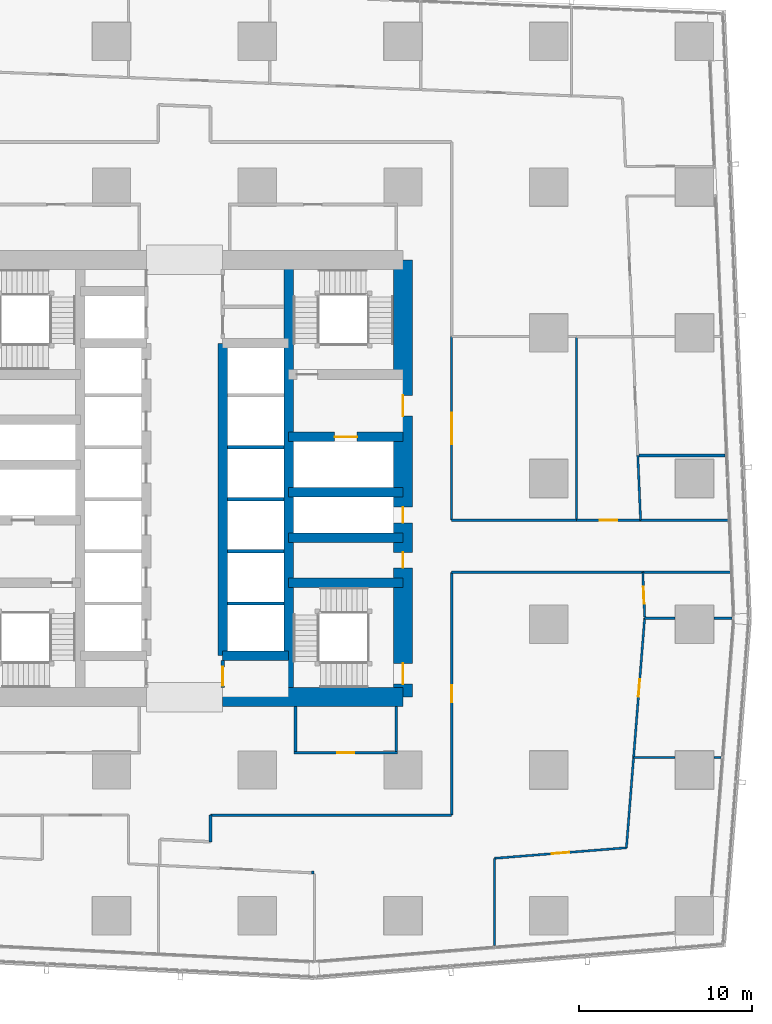
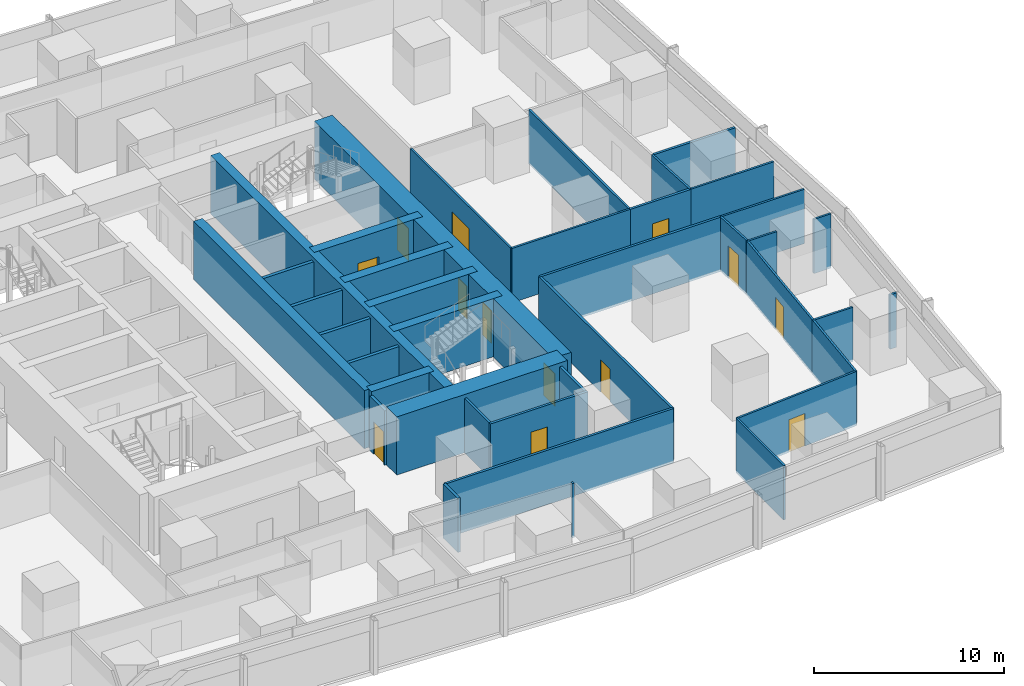
# One storey, part 33 of 44: 39 walls, 13 doors, 13 openings.
"""IFC4 building model written with IfcOpenShell, lengths in metres."""

import ifcopenshell
import ifcopenshell.guid

model = None  # the IFC model being written
_history = None  # IfcOwnerHistory: only IFC2X3 demands one
_inside = {}  # id of a spatial element -> (the spatial element, [elements in it])
_under = {}  # id of a project, library or spatial element -> (it, [spatial elements below it])
_declared = {}  # id of a project -> (the project, [libraries it declares])
_typed = {}  # id of a type object -> (the type object, [elements of that type])
_made_of = {}  # id of a material, layer set ... -> (it, [elements and type objects made of it])


def new_model(schema):
    """Start an empty IFC model of exactly this schema.

    Asked for "IFC4X3", IfcOpenShell would pick the latest addendum, in which some entities
    have other attributes; the version numbers below select the first issue.
    IFC2X3 requires an IfcOwnerHistory on every rooted entity: one is made here for all.
    """
    global model, _history
    if schema == "IFC4X3":
        model = ifcopenshell.file(schema_version=(4, 3, 0, 0))
    else:
        model = ifcopenshell.file(schema=schema)
    _inside.clear()
    _under.clear()
    _declared.clear()
    _typed.clear()
    _made_of.clear()
    _history = None
    if model.schema == "IFC2X3":
        org = make("IfcOrganization", Name="unknown")
        user = make(
            "IfcPersonAndOrganization",
            ThePerson=make("IfcPerson", FamilyName="unknown"),
            TheOrganization=org,
        )
        app = make(
            "IfcApplication",
            ApplicationDeveloper=org,
            Version="unknown",
            ApplicationFullName="unknown",
            ApplicationIdentifier="unknown",
        )
        _history = make(
            "IfcOwnerHistory",
            OwningUser=user,
            OwningApplication=app,
            ChangeAction="ADDED",
            CreationDate=0,
        )
    return model


def make(cls, **values):
    """One entity of the class cls with the attributes given. An attribute that is None is left unset."""
    return model.create_entity(
        cls, **{name: value for name, value in values.items() if value is not None}
    )


def rooted(cls, **values):
    """An entity with a GlobalId (a new one), such as an element, a storey or a relation."""
    return make(cls, GlobalId=ifcopenshell.guid.new(), OwnerHistory=_history, **values)


def si_unit(unit_type, name, prefix=None):
    """IfcSIUnit, for example si_unit("LENGTHUNIT", "METRE", prefix="MILLI")."""
    return make("IfcSIUnit", UnitType=unit_type, Prefix=prefix, Name=name)


def assignment(units):
    """IfcUnitAssignment: the units of a project."""
    return None if units is None else make("IfcUnitAssignment", Units=units)


def point(xyz):
    """IfcCartesianPoint."""
    return None if xyz is None else make("IfcCartesianPoint", Coordinates=xyz)


def direction(xyz):
    """IfcDirection."""
    return None if xyz is None else make("IfcDirection", DirectionRatios=xyz)


def frame(location, z_axis=None, x_axis=None):
    """IfcAxis2Placement3D, a coordinate frame: its origin and axes. An axis left out is left unset."""
    return make(
        "IfcAxis2Placement3D",
        Location=point(location),
        Axis=direction(z_axis),
        RefDirection=direction(x_axis),
    )


def frame_2d(location, x_axis=None):
    """IfcAxis2Placement2D, a coordinate frame in the plane: its origin and x axis."""
    return make(
        "IfcAxis2Placement2D", Location=point(location), RefDirection=direction(x_axis)
    )


def origin():
    """The frame at (0, 0, 0) with its axes left unset."""
    return frame((0.0, 0.0, 0.0))


def place(relative_to, where):
    """IfcLocalPlacement: puts the frame where relative to a parent placement (None: the world)."""
    return make(
        "IfcLocalPlacement", PlacementRelTo=relative_to, RelativePlacement=where
    )


def context(
    kind, dimensions, precision=None, world=None, true_north=None, identifier=None
):
    """IfcGeometricRepresentationContext, for example the 3D "Model" context."""
    return make(
        "IfcGeometricRepresentationContext",
        ContextIdentifier=identifier,
        ContextType=kind,
        CoordinateSpaceDimension=dimensions,
        Precision=precision,
        WorldCoordinateSystem=world,
        TrueNorth=true_north,
    )


def subcontext(parent, identifier, kind, view, scale=None):
    """IfcGeometricRepresentationSubContext, for example "Body" below "Model"."""
    return make(
        "IfcGeometricRepresentationSubContext",
        ContextIdentifier=identifier,
        ContextType=kind,
        ParentContext=parent,
        TargetScale=scale,
        TargetView=view,
    )


def project(units=None, contexts=None):
    """IfcProject with its units and contexts."""
    return rooted(
        "IfcProject",
        Name="project",
        RepresentationContexts=contexts,
        UnitsInContext=assignment(units),
    )


def spatial(cls, under=None, at=None, **own):
    """A site, building, storey or space (cls), placed at a placement, below another one or the project."""
    s = rooted(cls, ObjectPlacement=at, **own)
    if under is not None:
        _under.setdefault(under.id(), (under, []))[1].append(s)
    return s


def profile(cls, at=None, kind="AREA", **sizes):
    """A parametric profile (cls). Its sizes go by their IFC names, for example OverallWidth=200.0."""
    return make(cls, ProfileType=kind, Position=at, **sizes)


def rectangle(**sizes):
    """IfcRectangleProfileDef."""
    return profile("IfcRectangleProfileDef", **sizes)


def extrude(swept, where, along, depth):
    """IfcExtrudedAreaSolid: the profile swept, set in the frame where, extruded along a direction by depth."""
    return make(
        "IfcExtrudedAreaSolid",
        SweptArea=swept,
        Position=where,
        ExtrudedDirection=direction(along),
        Depth=depth,
    )


def shape(context_of_items, identifier, shape_type, items):
    """IfcShapeRepresentation: the items that make up one representation, for example the "Body"."""
    return make(
        "IfcShapeRepresentation",
        ContextOfItems=context_of_items,
        RepresentationIdentifier=identifier,
        RepresentationType=shape_type,
        Items=items,
    )


def material(Name=None, Category=None):
    """IfcMaterial."""
    return make("IfcMaterial", Name=Name, Category=Category)


def layer(
    of_material, thickness, ventilated=None, Name=None, Category=None, Priority=None
):
    """IfcMaterialLayer: one layer of a wall or slab, of a material (None: an air gap)."""
    return make(
        "IfcMaterialLayer",
        Material=of_material,
        LayerThickness=thickness,
        IsVentilated=ventilated,
        Name=Name,
        Category=Category,
        Priority=Priority,
    )


def layer_set(layers, Name=None):
    """IfcMaterialLayerSet."""
    return make("IfcMaterialLayerSet", MaterialLayers=layers, LayerSetName=Name)


def made_of(thing, what):
    """Note that an element or type object is made of a material, layer set ...; save() writes the relation."""
    if what is not None:
        _made_of.setdefault(what.id(), (what, []))[1].append(thing)
    return thing


def type_object(cls, material=None, **own):
    """A type object (cls), such as IfcWallType, which elements share."""
    return made_of(rooted(cls, **own), material)


def element(
    cls,
    number,
    at=None,
    inside=None,
    cuts=None,
    type_object=None,
    material=None,
    context=None,
    identifier="Body",
    shape_type=None,
    held_by="IfcProductDefinitionShape",
    body=None,
    shapes=None,
    **own,
):
    """One element of the class cls, such as IfcWall. Its Tag is "e" and its number.

    at: its placement. inside: the storey or other place that contains it. cuts: it is an
    opening in that element (IfcRelVoidsElement). A single representation is given by context,
    identifier, shape_type and body (its items); several are given by shapes. held_by: the class
    of the entity that holds the representations. save() writes the other relations.
    """
    e = rooted(cls, Tag="e%d" % number, ObjectPlacement=at, **own)
    if body is not None:
        shapes = [shape(context, identifier, shape_type, body)]
    if shapes is not None:
        e.Representation = make(held_by, Representations=shapes)
    if inside is not None:
        _inside.setdefault(inside.id(), (inside, []))[1].append(e)
    if cuts is not None:
        rooted(
            "IfcRelVoidsElement", RelatingBuildingElement=cuts, RelatedOpeningElement=e
        )
    if type_object is not None:
        _typed.setdefault(type_object.id(), (type_object, []))[1].append(e)
    return made_of(e, material)


def fill(opening, filler):
    """IfcRelFillsElement: the door or window that sits in an opening."""
    return rooted(
        "IfcRelFillsElement",
        RelatingOpeningElement=opening,
        RelatedBuildingElement=filler,
    )


def aggregate(whole, parts):
    """IfcRelAggregates: a whole, such as a stair, and the parts it consists of."""
    return rooted("IfcRelAggregates", RelatingObject=whole, RelatedObjects=parts)


def save(model, path):
    """Write the relations noted so far, then the file.

    IfcRelAggregates (storeys below a building ...), IfcRelContainedInSpatialStructure (elements
    in a storey), IfcRelDefinesByType, IfcRelAssociatesMaterial and IfcRelDeclares: one each for
    every whole, place, type object, material and project.
    """
    for whole, parts in _under.values():
        aggregate(whole, parts)
    for where, things in _inside.values():
        rooted(
            "IfcRelContainedInSpatialStructure",
            RelatedElements=things,
            RelatingStructure=where,
        )
    for kind, things in _typed.values():
        rooted("IfcRelDefinesByType", RelatedObjects=things, RelatingType=kind)
    for what, things in _made_of.values():
        rooted("IfcRelAssociatesMaterial", RelatedObjects=things, RelatingMaterial=what)
    for by, libraries in _declared.values():
        rooted("IfcRelDeclares", RelatingContext=by, RelatedDefinitions=libraries)
    model.write(path)


model = new_model("IFC4")

# Units and contexts
model_context = context("Model", 3, precision=1e-05, world=origin(), true_north=direction((0.0, 1.0)))
body_context = subcontext(model_context, "Body", "Model", "MODEL_VIEW")
ifc_project = project(units=[si_unit("LENGTHUNIT", "METRE"), si_unit("AREAUNIT", "SQUARE_METRE"), si_unit("VOLUMEUNIT", "CUBIC_METRE"), si_unit("PLANEANGLEUNIT", "RADIAN"), si_unit("MASSUNIT", "GRAM", prefix="KILO")], contexts=[model_context])

# Site, building, storey
site_placement = place(None, origin())
site = spatial("IfcSite", under=ifc_project, at=site_placement, CompositionType="ELEMENT")
building_placement = place(site_placement, origin())
building = spatial("IfcBuilding", under=site, at=building_placement, Name="Rekha Terrace Tower", CompositionType="ELEMENT")
storey_placement = place(building_placement, frame((0.0, 0.0, 59.14990234375)))
storey = spatial("IfcBuildingStorey", under=building, at=storey_placement, Name="L14", CompositionType="ELEMENT", Elevation=59.14990234375)

# Walls
ifc_material_1 = material(Name="Concrete M70", Category="concrete")
ifc_layer_1 = layer(ifc_material_1, 0.550048828125)
ifc_layer_set_1 = layer_set([ifc_layer_1], Name="Concrete M70")
wall_type_1 = type_object("IfcWallType", Name="CI1 550 core internal shear wall", PredefinedType="SHEAR", material=ifc_layer_set_1)
wall_1_placement = place(storey_placement, frame((43.800048828125, 21.0, 0.0), z_axis=(0.0, 0.0, 1.0), x_axis=(0.0, 1.0, 0.0)))
element("IfcWall", 1, at=wall_1_placement, inside=storey, type_object=wall_type_1, Name="Core wall X438 L14", PredefinedType="SHEAR", context=body_context, shape_type="SweptSolid", body=[
    extrude(rectangle(XDim=25.199951171875, YDim=0.550048828125, at=frame_2d((12.60009765625, 0.0))), origin(), (0.0, 0.0, 1.0), 3.75),
])
wall_2_placement = place(storey_placement, frame((40.0, 23.39990234375, 0.0), z_axis=(0.0, 0.0, 1.0), x_axis=(0.0, 1.0, 0.0)))
element("IfcWall", 2, at=wall_2_placement, inside=storey, type_object=wall_type_1, Name="Core wall X400 L14", PredefinedType="SHEAR", context=body_context, shape_type="SweptSolid", body=[
    extrude(rectangle(XDim=18.0, YDim=0.550048828125, at=frame_2d((9.0, 0.0))), origin(), (0.0, 0.0, 1.0), 3.75),
])
wall_3_placement = place(storey_placement, frame((40.0, 23.39990234375, 0.0), z_axis=(0.0, 0.0, 1.0), x_axis=(1.0, 0.0, 0.0)))
element("IfcWall", 3, at=wall_3_placement, inside=storey, type_object=wall_type_1, Name="Core wall Y234E L14", PredefinedType="SHEAR", context=body_context, shape_type="SweptSolid", body=[
    extrude(rectangle(XDim=3.800048828125, YDim=0.550048828125, at=frame_2d((1.89990234375, 0.0))), origin(), (0.0, 0.0, 1.0), 3.75),
])
for number, where, z_axis, x_axis, name in (
    (4, (43.800048828125, 27.60009765625, 0.0), (0.0, 0.0, 1.0), (1.0, 0.0, 0.0), "Core wall Y276E L14"),
    (5, (43.800048828125, 30.199951171875, 0.0), (0.0, 0.0, 1.0), (1.0, 0.0, 0.0), "Core wall Y302E L14"),
    (6, (43.800048828125, 32.800048828125, 0.0), (0.0, 0.0, 1.0), (1.0, 0.0, 0.0), "Core wall Y328E L14"),
):
    element("IfcWall", number, at=place(storey_placement, frame(where, z_axis=z_axis, x_axis=x_axis)), inside=storey, type_object=wall_type_1, Name=name, PredefinedType="SHEAR", context=body_context, shape_type="SweptSolid", body=[
        extrude(rectangle(XDim=6.599853515625, YDim=0.550048828125, at=frame_2d((3.2998046875, 0.0))), origin(), (0.0, 0.0, 1.0), 3.75),
    ])

# Wall, opening, door
wall_4_placement = place(storey_placement, frame((43.800048828125, 36.0, 0.0), z_axis=(0.0, 0.0, 1.0), x_axis=(1.0, 0.0, 0.0)))
wall_4 = element("IfcWall", 7, at=wall_4_placement, inside=storey, type_object=wall_type_1, Name="Core wall Y360E L14", PredefinedType="SHEAR", context=body_context, shape_type="SweptSolid", body=[
    extrude(rectangle(XDim=6.599853515625, YDim=0.550048828125, at=frame_2d((3.2998046875, 0.0))), origin(), (0.0, 0.0, 1.0), 3.75),
])
opening_1_placement = place(wall_4_placement, frame((2.64990234375, 0.0, 0.0)))
opening_1 = element("IfcOpeningElement", 8, at=opening_1_placement, cuts=wall_4, Name="Opening LD2", PredefinedType="OPENING", context=body_context, shape_type="SweptSolid", body=[
    extrude(rectangle(XDim=1.300048828125, YDim=2.10009765625, at=frame_2d((0.64990234375, 1.050048828125))), frame((0.0, 0.284912109375, 0.0), z_axis=(0.0, -1.0, 0.0), x_axis=(1.0, 0.0, 0.0)), (0.0, 0.0, 1.0), 0.570068359375),
])
ifc_material_2 = material(Name="Stainless steel sliding landing door", Category="steel")
door_type_1 = type_object("IfcDoorType", Name="LD2 1300x2100 fire lift landing door", OperationType="SLIDING_TO_LEFT", PredefinedType="USERDEFINED", material=ifc_material_2)
door_1_placement = place(opening_1_placement, origin())
door_1 = element("IfcDoor", 9, at=door_1_placement, inside=storey, type_object=door_type_1, Name="Lift FL2 landing door L14", ObjectType="LIFT LANDING DOOR", OperationType="SLIDING_TO_LEFT", OverallHeight=2.10009765625, OverallWidth=1.300048828125, PredefinedType="USERDEFINED", context=body_context, shape_type="SweptSolid", body=[
    extrude(rectangle(XDim=1.300048828125, YDim=2.10009765625, at=frame_2d((0.64990234375, 1.050048828125))), frame((0.0, 0.02490234375, 0.0), z_axis=(0.0, -1.0, 0.0), x_axis=(1.0, 0.0, 0.0)), (0.0, 0.0, 1.0), 0.050048828125),
])
fill(opening_1, door_1)

# Wall
ifc_layer_2 = layer(ifc_material_1, 1.10009765625)
ifc_layer_set_2 = layer_set([ifc_layer_2], Name="Concrete M70")
wall_type_2 = type_object("IfcWallType", Name="SW1 1100 core outer shear wall", PredefinedType="SHEAR", material=ifc_layer_set_2)
wall_5_placement = place(storey_placement, frame((40.0, 21.0, 0.0), z_axis=(0.0, 0.0, 1.0), x_axis=(1.0, 0.0, 0.0)))
element("IfcWall", 10, at=wall_5_placement, inside=storey, type_object=wall_type_2, Name="Core wall S2 L14", PredefinedType="SHEAR", context=body_context, shape_type="SweptSolid", body=[
    extrude(rectangle(XDim=10.39990234375, YDim=1.10009765625, at=frame_2d((5.199951171875, 0.0))), origin(), (0.0, 0.0, 1.0), 3.75),
])

# Wall, openings, doors
wall_6_placement = place(storey_placement, frame((50.39990234375, 21.0, 0.0), z_axis=(0.0, 0.0, 1.0), x_axis=(0.0, 1.0, 0.0)))
wall_6 = element("IfcWall", 11, at=wall_6_placement, inside=storey, type_object=wall_type_2, Name="Core wall E L14", PredefinedType="SHEAR", context=body_context, shape_type="SweptSolid", body=[
    extrude(rectangle(XDim=25.199951171875, YDim=1.10009765625, at=frame_2d((12.60009765625, 0.0))), origin(), (0.0, 0.0, 1.0), 3.75),
])
opening_2_placement = place(wall_6_placement, frame((16.199951171875, 0.0, 0.0)))
opening_2 = element("IfcOpeningElement", 12, at=opening_2_placement, cuts=wall_6, Name="Opening D2", PredefinedType="OPENING", context=body_context, shape_type="SweptSolid", body=[
    extrude(rectangle(XDim=1.199951171875, YDim=2.10009765625, at=frame_2d((0.60009765625, 1.050048828125))), frame((0.0, 0.56005859375, 0.0), z_axis=(0.0, -1.0, 0.0), x_axis=(1.0, 0.0, 0.0)), (0.0, 0.0, 1.0), 1.1201171875),
])
opening_3_placement = place(wall_6_placement, frame((10.050048828125, 0.0, 0.0)))
opening_3 = element("IfcOpeningElement", 13, at=opening_3_placement, cuts=wall_6, Name="Opening D5", PredefinedType="OPENING", context=body_context, shape_type="SweptSolid", body=[
    extrude(rectangle(XDim=0.89990234375, YDim=2.10009765625, at=frame_2d((0.449951171875, 1.050048828125))), frame((0.0, 0.56005859375, 0.0), z_axis=(0.0, -1.0, 0.0), x_axis=(1.0, 0.0, 0.0)), (0.0, 0.0, 1.0), 1.1201171875),
])
opening_4_placement = place(wall_6_placement, frame((7.449951171875, 0.0, 0.0)))
opening_4 = element("IfcOpeningElement", 14, at=opening_4_placement, cuts=wall_6, Name="Opening D5", PredefinedType="OPENING", context=body_context, shape_type="SweptSolid", body=[
    extrude(rectangle(XDim=0.89990234375, YDim=2.10009765625, at=frame_2d((0.449951171875, 1.050048828125))), frame((0.0, 0.56005859375, 0.0), z_axis=(0.0, -1.0, 0.0), x_axis=(1.0, 0.0, 0.0)), (0.0, 0.0, 1.0), 1.1201171875),
])
opening_5_placement = place(wall_6_placement, frame((0.75, 0.0, 0.0)))
opening_5 = element("IfcOpeningElement", 15, at=opening_5_placement, cuts=wall_6, Name="Opening D1", PredefinedType="OPENING", context=body_context, shape_type="SweptSolid", body=[
    extrude(rectangle(XDim=1.199951171875, YDim=2.10009765625, at=frame_2d((0.60009765625, 1.050048828125))), frame((0.0, 0.56005859375, 0.0), z_axis=(0.0, -1.0, 0.0), x_axis=(1.0, 0.0, 0.0)), (0.0, 0.0, 1.0), 1.1201171875),
])
ifc_material_3 = material(Name="Steel fire door", Category="steel")
door_type_2 = type_object("IfcDoorType", Name="D1 1200x2100 stair fire door", OperationType="SINGLE_SWING_RIGHT", PredefinedType="DOOR", material=ifc_material_3)
door_2_placement = place(opening_5_placement, origin())
door_2 = element("IfcDoor", 16, at=door_2_placement, inside=storey, type_object=door_type_2, Name="Stair ST3 door L14", OperationType="SINGLE_SWING_RIGHT", OverallHeight=2.10009765625, OverallWidth=1.199951171875, PredefinedType="DOOR", context=body_context, shape_type="SweptSolid", body=[
    extrude(rectangle(XDim=1.199951171875, YDim=2.10009765625, at=frame_2d((0.60009765625, 1.050048828125))), frame((0.0, 0.02490234375, 0.0), z_axis=(0.0, -1.0, 0.0), x_axis=(1.0, 0.0, 0.0)), (0.0, 0.0, 1.0), 0.050048828125),
])
fill(opening_5, door_2)
door_type_3 = type_object("IfcDoorType", Name="D2 1200x2100 firefighting lobby door", OperationType="SINGLE_SWING_LEFT", PredefinedType="DOOR", material=ifc_material_3)
door_3_placement = place(opening_2_placement, origin())
door_3 = element("IfcDoor", 17, at=door_3_placement, inside=storey, type_object=door_type_3, Name="Door flb2 L14", OperationType="SINGLE_SWING_LEFT", OverallHeight=2.10009765625, OverallWidth=1.199951171875, PredefinedType="DOOR", context=body_context, shape_type="SweptSolid", body=[
    extrude(rectangle(XDim=1.199951171875, YDim=2.10009765625, at=frame_2d((0.60009765625, 1.050048828125))), frame((0.0, 0.02490234375, 0.0), z_axis=(0.0, -1.0, 0.0), x_axis=(1.0, 0.0, 0.0)), (0.0, 0.0, 1.0), 0.050048828125),
])
fill(opening_2, door_3)
door_type_4 = type_object("IfcDoorType", Name="D5 900x2100 riser access door", OperationType="SINGLE_SWING_LEFT", PredefinedType="DOOR", material=ifc_material_3)
door_4_placement = place(opening_3_placement, origin())
door_4 = element("IfcDoor", 18, at=door_4_placement, inside=storey, type_object=door_type_4, Name="Door rs2 L14", OperationType="SINGLE_SWING_LEFT", OverallHeight=2.10009765625, OverallWidth=0.89990234375, PredefinedType="DOOR", context=body_context, shape_type="SweptSolid", body=[
    extrude(rectangle(XDim=0.89990234375, YDim=2.10009765625, at=frame_2d((0.449951171875, 1.050048828125))), frame((0.0, 0.02490234375, 0.0), z_axis=(0.0, -1.0, 0.0), x_axis=(1.0, 0.0, 0.0)), (0.0, 0.0, 1.0), 0.050048828125),
])
fill(opening_3, door_4)
door_5_placement = place(opening_4_placement, origin())
door_5 = element("IfcDoor", 19, at=door_5_placement, inside=storey, type_object=door_type_4, Name="Door ele L14", OperationType="SINGLE_SWING_LEFT", OverallHeight=2.10009765625, OverallWidth=0.89990234375, PredefinedType="DOOR", context=body_context, shape_type="SweptSolid", body=[
    extrude(rectangle(XDim=0.89990234375, YDim=2.10009765625, at=frame_2d((0.449951171875, 1.050048828125))), frame((0.0, 0.02490234375, 0.0), z_axis=(0.0, -1.0, 0.0), x_axis=(1.0, 0.0, 0.0)), (0.0, 0.0, 1.0), 0.050048828125),
])
fill(opening_4, door_5)

# Wall, opening, door
ifc_material_4 = material(Name="Concrete block masonry, 1 hour", Category="masonry")
ifc_layer_3 = layer(ifc_material_4, 0.14990234375)
ifc_layer_set_3 = layer_set([ifc_layer_3], Name="Concrete block masonry, 1 hour")
wall_type_3 = type_object("IfcWallType", Name="WP2 150 tenancy partition", PredefinedType="PARTITIONING", material=ifc_layer_set_3)
wall_7_placement = place(storey_placement, frame((44.125, 17.800048828125, 0.0), z_axis=(0.0, 0.0, 1.0), x_axis=(1.0, 0.0, 0.0)))
wall_7 = element("IfcWall", 20, at=wall_7_placement, inside=storey, type_object=wall_type_3, Name="Men's WC wall L14", PredefinedType="PARTITIONING", context=body_context, shape_type="SweptSolid", body=[
    extrude(rectangle(XDim=5.949951171875, YDim=0.14990234375, at=frame_2d((2.97509765625, 0.0))), origin(), (0.0, 0.0, 1.0), 3.5),
])
opening_6_placement = place(wall_7_placement, frame((2.47509765625, 0.0, 0.0)))
opening_6 = element("IfcOpeningElement", 21, at=opening_6_placement, cuts=wall_7, Name="Opening D3", PredefinedType="OPENING", context=body_context, shape_type="SweptSolid", body=[
    extrude(rectangle(XDim=1.0, YDim=2.10009765625, at=frame_2d((0.5, 1.050048828125))), frame((0.0, 0.0849609375, 0.0), z_axis=(0.0, -1.0, 0.0), x_axis=(1.0, 0.0, 0.0)), (0.0, 0.0, 1.0), 0.169921875),
])
ifc_material_5 = material(Name="Laminated timber fire door", Category="wood")
door_type_5 = type_object("IfcDoorType", Name="D3 1000x2100 WC door", OperationType="SINGLE_SWING_LEFT", PredefinedType="DOOR", material=ifc_material_5)
door_6_placement = place(opening_6_placement, origin())
door_6 = element("IfcDoor", 22, at=door_6_placement, inside=storey, type_object=door_type_5, Name="Door men's wc L14", OperationType="SINGLE_SWING_LEFT", OverallHeight=2.10009765625, OverallWidth=1.0, PredefinedType="DOOR", context=body_context, shape_type="SweptSolid", body=[
    extrude(rectangle(XDim=1.0, YDim=2.10009765625, at=frame_2d((0.5, 1.050048828125))), frame((0.0, 0.02490234375, 0.0), z_axis=(0.0, -1.0, 0.0), x_axis=(1.0, 0.0, 0.0)), (0.0, 0.0, 1.0), 0.050048828125),
])
fill(opening_6, door_6)

# Walls
for number, where, z_axis, x_axis, name in (
    (23, (44.199951171875, 17.875, 0.0), (0.0, 0.0, 1.0), (0.0, 1.0, 0.0), "Men's WC wall L14"),
    (24, (50.0, 17.875, 0.0), (0.0, 0.0, 1.0), (0.0, 1.0, 0.0), "Men's WC wall L14"),
):
    element("IfcWall", number, at=place(storey_placement, frame(where, z_axis=z_axis, x_axis=x_axis)), inside=storey, type_object=wall_type_3, Name=name, PredefinedType="PARTITIONING", context=body_context, shape_type="SweptSolid", body=[
        extrude(rectangle(XDim=2.574951171875, YDim=0.14990234375, at=frame_2d((1.28759765625, 0.0))), origin(), (0.0, 0.0, 1.0), 3.5),
    ])
wall_8_placement = place(storey_placement, frame((39.300048828125, 12.6630859375, 0.0), z_axis=(0.0, 0.0, 1.0), x_axis=(0.0, 1.0, 0.0)))
element("IfcWall", 25, at=wall_8_placement, inside=storey, type_object=wall_type_3, Name="Partition L14-O1", PredefinedType="PARTITIONING", context=body_context, shape_type="SweptSolid", body=[
    extrude(rectangle(XDim=1.536865234375, YDim=0.14990234375, at=frame_2d((0.7685546875, 0.0))), origin(), (0.0, 0.0, 1.0), 3.5),
])
wall_9_placement = place(storey_placement, frame((39.300048828125, 14.199951171875, 0.0), z_axis=(0.0, 0.0, 1.0), x_axis=(1.0, 0.0, 0.0)))
element("IfcWall", 26, at=wall_9_placement, inside=storey, type_object=wall_type_3, Name="Partition L14-O1", PredefinedType="PARTITIONING", context=body_context, shape_type="SweptSolid", body=[
    extrude(rectangle(XDim=13.89990234375, YDim=0.14990234375, at=frame_2d((6.949951171875, 0.0))), origin(), (0.0, 0.0, 1.0), 3.5),
])

# Wall, opening, door
wall_10_placement = place(storey_placement, frame((53.199951171875, 14.199951171875, 0.0), z_axis=(0.0, 0.0, 1.0), x_axis=(0.0, 1.0, 0.0)))
wall_10 = element("IfcWall", 27, at=wall_10_placement, inside=storey, type_object=wall_type_3, Name="Partition L14-O1", PredefinedType="PARTITIONING", context=body_context, shape_type="SweptSolid", body=[
    extrude(rectangle(XDim=14.0, YDim=0.14990234375, at=frame_2d((7.0, 0.0))), origin(), (0.0, 0.0, 1.0), 3.5),
])
opening_7_placement = place(wall_10_placement, frame((6.5, 0.0, 0.0)))
opening_7 = element("IfcOpeningElement", 28, at=opening_7_placement, cuts=wall_10, Name="Opening D9", PredefinedType="OPENING", context=body_context, shape_type="SweptSolid", body=[
    extrude(rectangle(XDim=1.0, YDim=2.10009765625, at=frame_2d((0.5, 1.050048828125))), frame((0.0, 0.0849609375, 0.0), z_axis=(0.0, -1.0, 0.0), x_axis=(1.0, 0.0, 0.0)), (0.0, 0.0, 1.0), 0.169921875),
])
ifc_material_6 = material(Name="Timber fire door", Category="wood")
door_type_6 = type_object("IfcDoorType", Name="D9 1000x2100 office door", OperationType="SINGLE_SWING_LEFT", PredefinedType="DOOR", material=ifc_material_6)
door_7_placement = place(opening_7_placement, origin())
door_7 = element("IfcDoor", 29, at=door_7_placement, inside=storey, type_object=door_type_6, Name="Door open-plan office L14", OperationType="SINGLE_SWING_LEFT", OverallHeight=2.10009765625, OverallWidth=1.0, PredefinedType="DOOR", context=body_context, shape_type="SweptSolid", body=[
    extrude(rectangle(XDim=1.0, YDim=2.10009765625, at=frame_2d((0.5, 1.050048828125))), frame((0.0, 0.02490234375, 0.0), z_axis=(0.0, -1.0, 0.0), x_axis=(1.0, 0.0, 0.0)), (0.0, 0.0, 1.0), 0.050048828125),
])
fill(opening_7, door_7)

# Walls
wall_11_placement = place(storey_placement, frame((53.199951171875, 28.199951171875, 0.0), z_axis=(0.0, 0.0, 1.0), x_axis=(1.0, 0.0, 0.0)))
element("IfcWall", 30, at=wall_11_placement, inside=storey, type_object=wall_type_3, Name="Partition L14-O1", PredefinedType="PARTITIONING", context=body_context, shape_type="SweptSolid", body=[
    extrude(rectangle(XDim=11.01904296875, YDim=0.14990234375, at=frame_2d((5.509521484375, 0.0))), origin(), (0.0, 0.0, 1.0), 3.5),
])
wall_12_placement = place(storey_placement, frame((63.992919921875, 34.931884765625, 0.0), z_axis=(0.0, 0.0, 1.0), x_axis=(1.0, 0.0, 0.0)))
element("IfcWall", 31, at=wall_12_placement, inside=storey, type_object=wall_type_3, Name="Partition L14-O2", PredefinedType="PARTITIONING", context=body_context, shape_type="SweptSolid", body=[
    extrude(rectangle(XDim=4.963134765625, YDim=0.14990234375, at=frame_2d((2.4814453125, 0.0))), origin(), (0.0, 0.0, 1.0), 3.5),
])

# Wall, opening, door
wall_13_placement = place(storey_placement, frame((64.091064453125, 31.199951171875, 0.0), z_axis=(0.0, 0.0, 1.0), x_axis=(-1.0, 0.0, 0.0)))
wall_13 = element("IfcWall", 32, at=wall_13_placement, inside=storey, type_object=wall_type_3, Name="Partition L14-O2", PredefinedType="PARTITIONING", context=body_context, shape_type="SweptSolid", body=[
    extrude(rectangle(XDim=3.691162109375, YDim=0.14990234375, at=frame_2d((1.845703125, 0.0))), origin(), (0.0, 0.0, 1.0), 3.5),
])
opening_8_placement = place(wall_13_placement, frame((1.345947265625, 0.0, 0.0)))
opening_8 = element("IfcOpeningElement", 33, at=opening_8_placement, cuts=wall_13, Name="Opening D9", PredefinedType="OPENING", context=body_context, shape_type="SweptSolid", body=[
    extrude(rectangle(XDim=1.0, YDim=2.10009765625, at=frame_2d((0.5, 1.050048828125))), frame((0.0, 0.0849609375, 0.0), z_axis=(0.0, -1.0, 0.0), x_axis=(1.0, 0.0, 0.0)), (0.0, 0.0, 1.0), 0.169921875),
])
door_8_placement = place(opening_8_placement, origin())
door_8 = element("IfcDoor", 34, at=door_8_placement, inside=storey, type_object=door_type_6, Name="Door open-plan office L14", OperationType="SINGLE_SWING_LEFT", OverallHeight=2.10009765625, OverallWidth=1.0, PredefinedType="DOOR", context=body_context, shape_type="SweptSolid", body=[
    extrude(rectangle(XDim=1.0, YDim=2.10009765625, at=frame_2d((0.5, 1.050048828125))), frame((0.0, 0.02490234375, 0.0), z_axis=(0.0, -1.0, 0.0), x_axis=(1.0, 0.0, 0.0)), (0.0, 0.0, 1.0), 0.050048828125),
])
fill(opening_8, door_8)

# Walls
ifc_material_7 = material(Name="Two layers of fire-rated gypsum board each side on steel studs, acoustic quilt, 1 hour", Category="steel")
ifc_layer_4 = layer(ifc_material_7, 0.125)
ifc_layer_set_4 = layer_set([ifc_layer_4], Name="Two layers of fire-rated gypsum board each side on steel studs, acoustic quilt, 1 hour")
wall_type_4 = type_object("IfcWallType", Name="WP3 125 office partition", PredefinedType="PARTITIONING", material=ifc_layer_set_4)
wall_14_placement = place(storey_placement, frame((63.68798828125, 17.52294921875, 0.0), z_axis=(0.0, 0.0, 1.0), x_axis=(1.0, 0.0, 0.0)))
element("IfcWall", 35, at=wall_14_placement, inside=storey, type_object=wall_type_4, Name="Partition L14-03", PredefinedType="PARTITIONING", context=body_context, shape_type="SweptSolid", body=[
    extrude(rectangle(XDim=2.39208984375, YDim=0.125, at=frame_2d((1.196044921875, 0.0))), origin(), (0.0, 0.0, 1.0), 3.5),
])
wall_15_placement = place(storey_placement, frame((68.320068359375, 17.52294921875, 0.0), z_axis=(0.0, 0.0, 1.0), x_axis=(1.0, 0.0, 0.0)))
element("IfcWall", 36, at=wall_15_placement, inside=storey, type_object=wall_type_4, Name="Partition L14-03", PredefinedType="PARTITIONING", context=body_context, shape_type="SweptSolid", body=[
    extrude(rectangle(XDim=0.40283203125, YDim=0.125, at=frame_2d((0.201416015625, 0.0))), origin(), (0.0, 0.0, 1.0), 3.5),
])
wall_16_placement = place(storey_placement, frame((55.673095703125, 6.676025390625, 0.0), z_axis=(0.0, 0.0, 1.0), x_axis=(0.0, 1.0, 0.0)))
element("IfcWall", 37, at=wall_16_placement, inside=storey, type_object=wall_type_4, Name="Partition L14-03", PredefinedType="PARTITIONING", context=body_context, shape_type="SweptSolid", body=[
    extrude(rectangle(XDim=5.035888671875, YDim=0.125, at=frame_2d((2.51806640625, 0.0))), origin(), (0.0, 0.0, 1.0), 3.5),
])

# Wall, opening, door
wall_17_placement = place(storey_placement, frame((55.673095703125, 11.7119140625, 0.0), z_axis=(0.0, 0.0, 1.0), x_axis=(0.99680498928, 0.079873733765, 0.0)))
wall_17 = element("IfcWall", 38, at=wall_17_placement, inside=storey, type_object=wall_type_4, Name="Partition L14-03", PredefinedType="PARTITIONING", context=body_context, shape_type="SweptSolid", body=[
    extrude(rectangle(XDim=7.626220703125, YDim=0.125, at=frame_2d((3.81298828125, 0.0))), origin(), (0.0, 0.0, 1.0), 3.5),
])
opening_9_placement = place(wall_17_placement, frame((3.31298828125, 0.0, 0.0)))
opening_9 = element("IfcOpeningElement", 39, at=opening_9_placement, cuts=wall_17, Name="Opening D9", PredefinedType="OPENING", context=body_context, shape_type="SweptSolid", body=[
    extrude(rectangle(XDim=1.0, YDim=2.10009765625, at=frame_2d((0.5, 1.050048828125))), frame((0.0, 0.072509765625, 0.0), z_axis=(0.0, -1.0, 0.0), x_axis=(1.0, 0.0, 0.0)), (0.0, 0.0, 1.0), 0.14501953125),
])
door_9_placement = place(opening_9_placement, origin())
door_9 = element("IfcDoor", 40, at=door_9_placement, inside=storey, type_object=door_type_6, Name="Door director's office L14", OperationType="SINGLE_SWING_LEFT", OverallHeight=2.10009765625, OverallWidth=1.0, PredefinedType="DOOR", context=body_context, shape_type="SweptSolid", body=[
    extrude(rectangle(XDim=1.0, YDim=2.10009765625, at=frame_2d((0.5, 1.050048828125))), frame((0.0, 0.02490234375, 0.0), z_axis=(0.0, -1.0, 0.0), x_axis=(1.0, 0.0, 0.0)), (0.0, 0.0, 1.0), 0.050048828125),
])
fill(opening_9, door_9)

# Wall
wall_18_placement = place(storey_placement, frame((63.27490234375, 12.321044921875, 0.0), z_axis=(0.0, 0.0, 1.0), x_axis=(0.079161317755, 0.996861818795, 0.0)))
element("IfcWall", 41, at=wall_18_placement, inside=storey, type_object=wall_type_4, Name="Partition L14-03", PredefinedType="PARTITIONING", context=body_context, shape_type="SweptSolid", body=[
    extrude(rectangle(XDim=5.21826171875, YDim=0.125, at=frame_2d((2.609130859375, 0.0))), origin(), (0.0, 0.0, 1.0), 3.5),
])

# Wall, opening, door
wall_19_placement = place(storey_placement, frame((63.68798828125, 17.52392578125, 0.0), z_axis=(0.0, 0.0, 1.0), x_axis=(0.079102910118, 0.996866455254, 0.0)))
wall_19 = element("IfcWall", 42, at=wall_19_placement, inside=storey, type_object=wall_type_4, Name="Partition L14-04", PredefinedType="PARTITIONING", context=body_context, shape_type="SweptSolid", body=[
    extrude(rectangle(XDim=8.05224609375, YDim=0.125, at=frame_2d((4.026123046875, 0.0))), origin(), (0.0, 0.0, 1.0), 3.5),
])
opening_10_placement = place(wall_19_placement, frame((3.52587890625, 0.0, 0.0)))
opening_10 = element("IfcOpeningElement", 43, at=opening_10_placement, cuts=wall_19, Name="Opening D9", PredefinedType="OPENING", context=body_context, shape_type="SweptSolid", body=[
    extrude(rectangle(XDim=1.0, YDim=2.10009765625, at=frame_2d((0.5, 1.050048828125))), frame((0.0, 0.072509765625, 0.0), z_axis=(0.0, -1.0, 0.0), x_axis=(1.0, 0.0, 0.0)), (0.0, 0.0, 1.0), 0.14501953125),
])
door_10_placement = place(opening_10_placement, origin())
door_10 = element("IfcDoor", 44, at=door_10_placement, inside=storey, type_object=door_type_6, Name="Door office L14", OperationType="SINGLE_SWING_LEFT", OverallHeight=2.10009765625, OverallWidth=1.0, PredefinedType="DOOR", context=body_context, shape_type="SweptSolid", body=[
    extrude(rectangle(XDim=1.0, YDim=2.10009765625, at=frame_2d((0.5, 1.050048828125))), frame((0.0, 0.02490234375, 0.0), z_axis=(0.0, -1.0, 0.0), x_axis=(1.0, 0.0, 0.0)), (0.0, 0.0, 1.0), 0.050048828125),
])
fill(opening_10, door_10)

# Walls
wall_20_placement = place(storey_placement, frame((64.324951171875, 25.551025390625, 0.0), z_axis=(0.0, 0.0, 1.0), x_axis=(1.0, 0.0, 0.0)))
element("IfcWall", 45, at=wall_20_placement, inside=storey, type_object=wall_type_4, Name="Partition L14-04", PredefinedType="PARTITIONING", context=body_context, shape_type="SweptSolid", body=[
    extrude(rectangle(XDim=1.755126953125, YDim=0.125, at=frame_2d((0.87744140625, 0.0))), origin(), (0.0, 0.0, 1.0), 3.5),
])
wall_21_placement = place(storey_placement, frame((68.320068359375, 25.551025390625, 0.0), z_axis=(0.0, 0.0, 1.0), x_axis=(1.0, 0.0, 0.0)))
element("IfcWall", 46, at=wall_21_placement, inside=storey, type_object=wall_type_4, Name="Partition L14-04", PredefinedType="PARTITIONING", context=body_context, shape_type="SweptSolid", body=[
    extrude(rectangle(XDim=1.036865234375, YDim=0.125, at=frame_2d((0.5185546875, 0.0))), origin(), (0.0, 0.0, 1.0), 3.5),
])
wall_22_placement = place(storey_placement, frame((64.218994140625, 28.199951171875, 0.0), z_axis=(0.0, 0.0, 1.0), x_axis=(1.0, 0.0, 0.0)))
element("IfcWall", 47, at=wall_22_placement, inside=storey, type_object=wall_type_4, Name="Partition L14-05", PredefinedType="PARTITIONING", context=body_context, shape_type="SweptSolid", body=[
    extrude(rectangle(XDim=5.054931640625, YDim=0.125, at=frame_2d((2.52734375, 0.0))), origin(), (0.0, 0.0, 1.0), 3.5),
])

# Wall, opening, door
wall_23_placement = place(storey_placement, frame((64.3291015625, 25.613037109375, 0.0), z_axis=(0.0, 0.0, 1.0), x_axis=(-0.042524729329, 0.99909541456, 0.0)))
wall_23 = element("IfcWall", 48, at=wall_23_placement, inside=storey, type_object=wall_type_4, Name="Partition L14-05", PredefinedType="PARTITIONING", context=body_context, shape_type="SweptSolid", body=[
    extrude(rectangle(XDim=2.58935546875, YDim=0.125, at=frame_2d((1.294677734375, 0.0))), origin(), (0.0, 0.0, 1.0), 3.5),
])
opening_11_placement = place(wall_23_placement, frame((0.761962890625, 0.0, 0.0)))
opening_11 = element("IfcOpeningElement", 49, at=opening_11_placement, cuts=wall_23, Name="Opening D9", PredefinedType="OPENING", context=body_context, shape_type="SweptSolid", body=[
    extrude(rectangle(XDim=1.0, YDim=2.10009765625, at=frame_2d((0.5, 1.050048828125))), frame((0.0, 0.072509765625, 0.0), z_axis=(0.0, -1.0, 0.0), x_axis=(1.0, 0.0, 0.0)), (0.0, 0.0, 1.0), 0.14501953125),
])
door_11_placement = place(opening_11_placement, origin())
door_11 = element("IfcDoor", 50, at=door_11_placement, inside=storey, type_object=door_type_6, Name="Door office L14", OperationType="SINGLE_SWING_LEFT", OverallHeight=2.10009765625, OverallWidth=1.0, PredefinedType="DOOR", context=body_context, shape_type="SweptSolid", body=[
    extrude(rectangle(XDim=1.0, YDim=2.10009765625, at=frame_2d((0.5, 1.050048828125))), frame((0.0, 0.02490234375, 0.0), z_axis=(0.0, -1.0, 0.0), x_axis=(1.0, 0.0, 0.0)), (0.0, 0.0, 1.0), 0.050048828125),
])
fill(opening_11, door_11)

# Walls
wall_24_placement = place(storey_placement, frame((69.14501953125, 31.199951171875, 0.0), z_axis=(0.0, 0.0, 1.0), x_axis=(-1.0, 0.0, 0.0)))
element("IfcWall", 51, at=wall_24_placement, inside=storey, type_object=wall_type_4, Name="Partition L14-11", PredefinedType="PARTITIONING", context=body_context, shape_type="SweptSolid", body=[
    extrude(rectangle(XDim=5.053955078125, YDim=0.125, at=frame_2d((2.52685546875, 0.0))), origin(), (0.0, 0.0, 1.0), 3.5),
])
wall_25_placement = place(storey_placement, frame((64.091064453125, 31.199951171875, 0.0), z_axis=(0.0, 0.0, 1.0), x_axis=(-0.042898031351, 0.999079455752, 0.0)))
element("IfcWall", 52, at=wall_25_placement, inside=storey, type_object=wall_type_4, Name="Partition L14-11", PredefinedType="PARTITIONING", context=body_context, shape_type="SweptSolid", body=[
    extrude(rectangle(XDim=3.7333984375, YDim=0.125, at=frame_2d((1.86669921875, 0.0))), origin(), (0.0, 0.0, 1.0), 3.5),
])
wall_26_placement = place(storey_placement, frame((60.39990234375, 31.199951171875, 0.0), z_axis=(0.0, 0.0, 1.0), x_axis=(-1.0, 0.0, 0.0)))
element("IfcWall", 53, at=wall_26_placement, inside=storey, type_object=wall_type_4, Name="Partition L14-12", PredefinedType="PARTITIONING", context=body_context, shape_type="SweptSolid", body=[
    extrude(rectangle(XDim=7.199951171875, YDim=0.125, at=frame_2d((3.60009765625, 0.0))), origin(), (0.0, 0.0, 1.0), 3.5),
])

# Wall, opening, door
wall_27_placement = place(storey_placement, frame((53.199951171875, 31.199951171875, 0.0), z_axis=(0.0, 0.0, 1.0), x_axis=(0.0, 1.0, 0.0)))
wall_27 = element("IfcWall", 54, at=wall_27_placement, inside=storey, type_object=wall_type_4, Name="Partition L14-12", PredefinedType="PARTITIONING", context=body_context, shape_type="SweptSolid", body=[
    extrude(rectangle(XDim=10.5810546875, YDim=0.125, at=frame_2d((5.29052734375, 0.0))), origin(), (0.0, 0.0, 1.0), 3.5),
])
opening_12_placement = place(wall_27_placement, frame((4.389892578125, 0.0, 0.0)))
opening_12 = element("IfcOpeningElement", 55, at=opening_12_placement, cuts=wall_27, Name="Opening D8", PredefinedType="OPENING", context=body_context, shape_type="SweptSolid", body=[
    extrude(rectangle(XDim=1.800048828125, YDim=2.10009765625, at=frame_2d((0.89990234375, 1.050048828125))), frame((0.0, 0.072509765625, 0.0), z_axis=(0.0, -1.0, 0.0), x_axis=(1.0, 0.0, 0.0)), (0.0, 0.0, 1.0), 0.14501953125),
])
door_type_7 = type_object("IfcDoorType", Name="D8 1800x2100 double leaf door", OperationType="DOUBLE_DOOR_SINGLE_SWING", PredefinedType="DOOR", material=ifc_material_6)
door_12_placement = place(opening_12_placement, origin())
door_12 = element("IfcDoor", 56, at=door_12_placement, inside=storey, type_object=door_type_7, Name="Door reception L14", OperationType="DOUBLE_DOOR_SINGLE_SWING", OverallHeight=2.10009765625, OverallWidth=1.800048828125, PredefinedType="DOOR", context=body_context, shape_type="SweptSolid", body=[
    extrude(rectangle(XDim=1.800048828125, YDim=2.10009765625, at=frame_2d((0.89990234375, 1.050048828125))), frame((0.0, 0.02490234375, 0.0), z_axis=(0.0, -1.0, 0.0), x_axis=(1.0, 0.0, 0.0)), (0.0, 0.0, 1.0), 0.050048828125),
])
fill(opening_12, door_12)

# Walls
wall_28_placement = place(storey_placement, frame((60.39990234375, 41.781005859375, 0.0), z_axis=(0.0, 0.0, 1.0), x_axis=(0.0, -1.0, 0.0)))
element("IfcWall", 57, at=wall_28_placement, inside=storey, type_object=wall_type_4, Name="Partition L14-12", PredefinedType="PARTITIONING", context=body_context, shape_type="SweptSolid", body=[
    extrude(rectangle(XDim=10.5810546875, YDim=0.125, at=frame_2d((5.29052734375, 0.0))), origin(), (0.0, 0.0, 1.0), 3.5),
])
wall_29_placement = place(storey_placement, frame((45.18994140625, 10.81005859375, 0.0), z_axis=(0.0, 0.0, 1.0), x_axis=(0.050013205413, 0.998748556587, 0.0)))
element("IfcWall", 58, at=wall_29_placement, inside=storey, type_object=wall_type_4, Name="Partition L14-02", PredefinedType="PARTITIONING", context=body_context, shape_type="SweptSolid", body=[
    extrude(rectangle(XDim=0.1611328125, YDim=0.125, at=frame_2d((0.08056640625, 0.0))), origin(), (0.0, 0.0, 1.0), 3.5),
])
ifc_material_8 = material(Name="Solid concrete block masonry, 2 hour", Category="masonry")
ifc_layer_5 = layer(ifc_material_8, 0.199951171875)
ifc_layer_set_5 = layer_set([ifc_layer_5], Name="Solid concrete block masonry, 2 hour")
wall_type_5 = type_object("IfcWallType", Name="WS1 200 stair and shaft enclosure", PredefinedType="PARTITIONING", material=ifc_layer_set_5)
for number, where, z_axis, x_axis, name in (
    (59, (40.27490234375, 26.39990234375, 0.0), (0.0, 0.0, 1.0), (1.0, 0.0, 0.0), "Lift shaft divider L14"),
    (60, (40.27490234375, 29.39990234375, 0.0), (0.0, 0.0, 1.0), (1.0, 0.0, 0.0), "Lift shaft divider L14"),
    (61, (40.27490234375, 32.39990234375, 0.0), (0.0, 0.0, 1.0), (1.0, 0.0, 0.0), "Lift shaft divider L14"),
    (62, (40.27490234375, 35.39990234375, 0.0), (0.0, 0.0, 1.0), (1.0, 0.0, 0.0), "Lift shaft divider L14"),
):
    element("IfcWall", number, at=place(storey_placement, frame(where, z_axis=z_axis, x_axis=x_axis)), inside=storey, type_object=wall_type_5, Name=name, PredefinedType="PARTITIONING", context=body_context, shape_type="SweptSolid", body=[
        extrude(rectangle(XDim=3.25, YDim=0.199951171875, at=frame_2d((1.625, 0.0))), origin(), (0.0, 0.0, 1.0), 3.5),
    ])

# Wall, opening, door
wall_30_placement = place(storey_placement, frame((40.0, 21.550048828125, 0.0), z_axis=(0.0, 0.0, 1.0), x_axis=(0.0, 1.0, 0.0)))
wall_30 = element("IfcWall", 63, at=wall_30_placement, inside=storey, type_object=wall_type_5, Name="Core partition wca L14", PredefinedType="PARTITIONING", context=body_context, shape_type="SweptSolid", body=[
    extrude(rectangle(XDim=1.574951171875, YDim=0.199951171875, at=frame_2d((0.78759765625, 0.0))), origin(), (0.0, 0.0, 1.0), 3.5),
])
opening_13_placement = place(wall_30_placement, frame((0.10009765625, 0.0, 0.0)))
opening_13 = element("IfcOpeningElement", 64, at=opening_13_placement, cuts=wall_30, Name="Opening D4", PredefinedType="OPENING", context=body_context, shape_type="SweptSolid", body=[
    extrude(rectangle(XDim=1.10009765625, YDim=2.10009765625, at=frame_2d((0.550048828125, 1.050048828125))), frame((0.0, 0.10986328125, 0.0), z_axis=(0.0, -1.0, 0.0), x_axis=(1.0, 0.0, 0.0)), (0.0, 0.0, 1.0), 0.219970703125),
])
door_type_8 = type_object("IfcDoorType", Name="D4 1100x2100 accessible WC door", OperationType="SLIDING_TO_LEFT", PredefinedType="DOOR", material=ifc_material_5)
door_13_placement = place(opening_13_placement, origin())
door_13 = element("IfcDoor", 65, at=door_13_placement, inside=storey, type_object=door_type_8, Name="Door wca L14", OperationType="SLIDING_TO_LEFT", OverallHeight=2.10009765625, OverallWidth=1.10009765625, PredefinedType="DOOR", context=body_context, shape_type="SweptSolid", body=[
    extrude(rectangle(XDim=1.10009765625, YDim=2.10009765625, at=frame_2d((0.550048828125, 1.050048828125))), frame((0.0, 0.02490234375, 0.0), z_axis=(0.0, -1.0, 0.0), x_axis=(1.0, 0.0, 0.0)), (0.0, 0.0, 1.0), 0.050048828125),
])
fill(opening_13, door_13)

save(model, "model.ifc")
